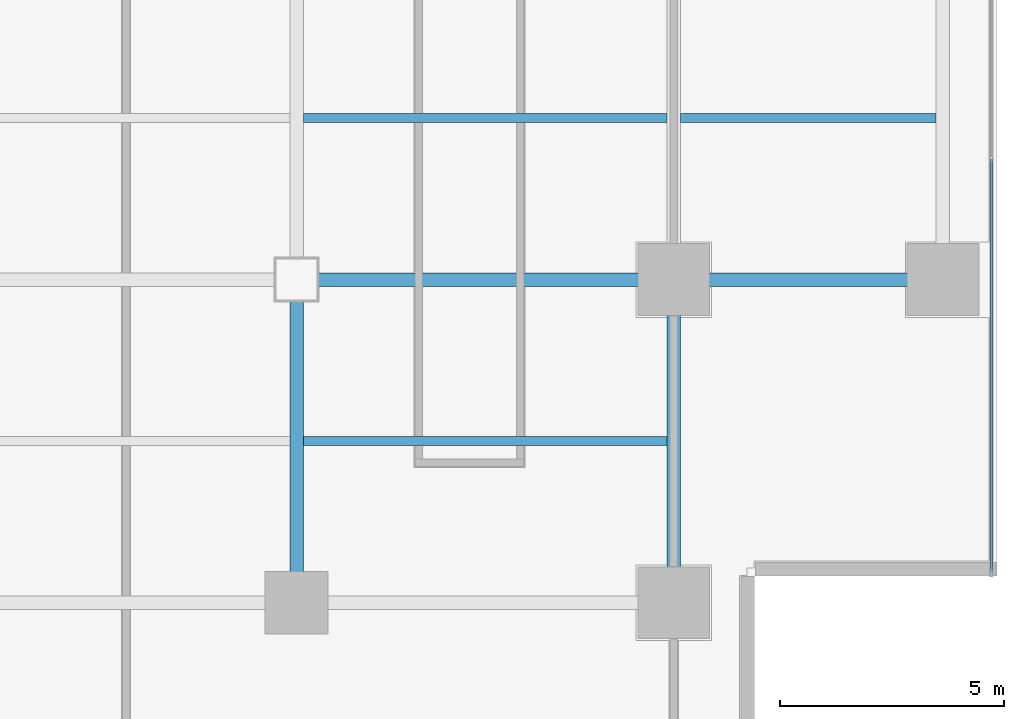
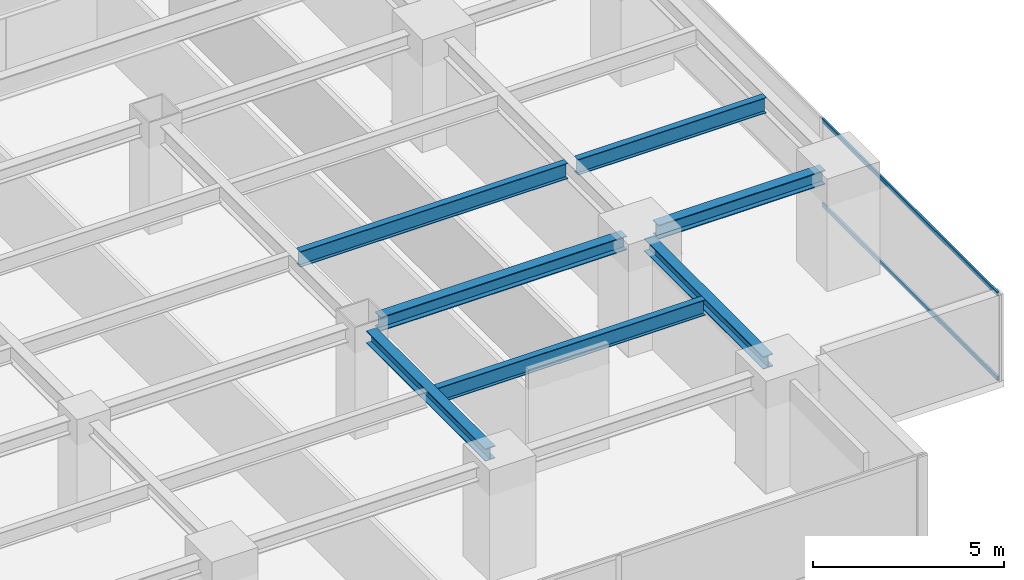
# One storey, part 10 of 27: 7 beams, 2 members, 1 element without a shape of its own.
"""IFC4 building model written with IfcOpenShell, lengths in metres."""

from ifc_helpers import new_model, si_unit, direction, frame, origin, origin_2d, place, context, subcontext, project, spatial, hollow_rectangle, i_section, extrude, source, transform, mapped, material, layer, layer_set, material_profile, profile_set, type_object, element, aggregate, save


model = new_model("IFC4")

# Units and contexts
model_context = context("Model", 3, precision=1e-05, world=origin(), true_north=direction((0.0, 1.0)))
body_context = subcontext(model_context, "Body", "Model", "MODEL_VIEW")
ifc_project = project(units=[si_unit("LENGTHUNIT", "METRE"), si_unit("AREAUNIT", "SQUARE_METRE"), si_unit("VOLUMEUNIT", "CUBIC_METRE"), si_unit("PLANEANGLEUNIT", "RADIAN"), si_unit("MASSUNIT", "GRAM", prefix="KILO")], contexts=[model_context])

# Site, building, storey
site_placement = place(None, origin())
site = spatial("IfcSite", under=ifc_project, at=site_placement, CompositionType="ELEMENT")
building_placement = place(site_placement, origin())
building = spatial("IfcBuilding", under=site, at=building_placement, Name="Sumidabori Civic Tower", CompositionType="ELEMENT")
storey_placement = place(building_placement, frame((0.0, 0.0, 156.800048828125)))
storey = spatial("IfcBuildingStorey", under=building, at=storey_placement, Name="L40", CompositionType="ELEMENT", Elevation=156.800048828125)

# Beams
ifc_material_1 = material(Name="Steel SN490", Category="steel")
ifc_material_profile_1 = material_profile(ifc_material_1, i_section(OverallWidth=0.300048828125, OverallDepth=0.39990234375, WebThickness=0.013427734375, FlangeThickness=0.02392578125, at=origin_2d()), Name="HE 400 B")
ifc_profile_set_1 = profile_set([ifc_material_profile_1], Name="Steel SN490")
beam_type_1 = type_object("IfcBeamType", Name="BM-GIRD-400", PredefinedType="BEAM", material=ifc_profile_set_1)
shared_shape_1 = source(origin(), body_context, "Body", "SweptSolid", [
    extrude(i_section(OverallWidth=0.300048828125, OverallDepth=0.39990234375, WebThickness=0.013427734375, FlangeThickness=0.02392578125, at=origin_2d()), origin(), (0.0, 0.0, 1.0), 6.239990234375),
])
for number, where, z_axis, x_axis, name in (
    (1, (8.39990234375, -17.52001953125, 3.179931640625), (0.0, 1.0, 0.0), (-1.0, 0.0, 0.0), "Primary Girder L40 GY-30"),
    (2, (16.800048828125, -17.52001953125, 3.179931640625), (0.0, 1.0, 0.0), (-1.0, 0.0, 0.0), "Primary Girder L40 GY-32"),
):
    element("IfcBeam", number, at=place(storey_placement, frame(where, z_axis=z_axis, x_axis=x_axis)), inside=storey, type_object=beam_type_1, Name=name, PredefinedType="BEAM", context=body_context, shape_type="MappedRepresentation", body=[
        mapped(shared_shape_1, transform((0.0, 0.0, 0.0), x_axis=(1.0, 0.0, 0.0), y_axis=(0.0, 1.0, 0.0), z_axis=(0.0, 0.0, 1.0), scale=1.0)),
    ])
ifc_material_profile_2 = material_profile(ifc_material_1, i_section(OverallWidth=0.199951171875, OverallDepth=0.5, WebThickness=0.01025390625, FlangeThickness=0.01611328125, at=origin_2d()), Name="IPE 500")
ifc_profile_set_2 = profile_set([ifc_material_profile_2], Name="Steel SN490")
beam_type_2 = type_object("IfcBeamType", Name="BM-JST-500", PredefinedType="JOIST", material=ifc_profile_set_2)
shared_shape_2 = source(origin(), body_context, "Body", "SweptSolid", [
    extrude(i_section(OverallWidth=0.199951171875, OverallDepth=0.5, WebThickness=0.01025390625, FlangeThickness=0.01611328125, at=origin_2d()), origin(), (0.0, 0.0, 1.0), 5.699951171875),
])
beam_1_placement = place(storey_placement, frame((16.949951171875, -7.199951171875, 3.1298828125), z_axis=(1.0, 0.0, 0.0), x_axis=(0.0, 1.0, 0.0)))
element("IfcBeam", 3, at=beam_1_placement, inside=storey, type_object=beam_type_2, Name="Outer Bay Floor Joist L40 JSTO-40", PredefinedType="JOIST", context=body_context, shape_type="MappedRepresentation", body=[
    mapped(shared_shape_2, transform((0.0, 0.0, 0.0), x_axis=(1.0, 0.0, 0.0), y_axis=(0.0, 1.0, 0.0), z_axis=(0.0, 0.0, 1.0), scale=1.0)),
])
shared_shape_3 = source(origin(), body_context, "Body", "SweptSolid", [
    extrude(i_section(OverallWidth=0.199951171875, OverallDepth=0.5, WebThickness=0.01025390625, FlangeThickness=0.01611328125, at=origin_2d()), origin(), (0.0, 0.0, 1.0), 8.099853515625),
])
for number, where, z_axis, x_axis, name in (
    (4, (8.550048828125, -14.39990234375, 3.1298828125), (1.0, 0.0, 0.0), (0.0, 1.0, 0.0), "South Bay Floor Joist L40 JSTS-52"),
    (5, (8.550048828125, -7.199951171875, 3.1298828125), (1.0, 0.0, 0.0), (0.0, 1.0, 0.0), "South Bay Floor Joist L40 JSTS-56"),
):
    element("IfcBeam", number, at=place(storey_placement, frame(where, z_axis=z_axis, x_axis=x_axis)), inside=storey, type_object=beam_type_2, Name=name, PredefinedType="JOIST", context=body_context, shape_type="MappedRepresentation", body=[
        mapped(shared_shape_3, transform((0.0, 0.0, 0.0), x_axis=(1.0, 0.0, 0.0), y_axis=(0.0, 1.0, 0.0), z_axis=(0.0, 0.0, 1.0), scale=1.0)),
    ])
ifc_material_profile_3 = material_profile(ifc_material_1, i_section(OverallWidth=0.300048828125, OverallDepth=0.449951171875, WebThickness=0.013916015625, FlangeThickness=0.02587890625, at=origin_2d()), Name="HE 450 B")
ifc_profile_set_3 = profile_set([ifc_material_profile_3], Name="Steel SN490")
beam_type_3 = type_object("IfcBeamType", Name="BM-GIRD-450", PredefinedType="BEAM", material=ifc_profile_set_3)
shared_shape_4 = source(origin(), body_context, "Body", "SweptSolid", [
    extrude(i_section(OverallWidth=0.300048828125, OverallDepth=0.449951171875, WebThickness=0.013916015625, FlangeThickness=0.02587890625, at=origin_2d()), origin(), (0.0, 0.0, 1.0), 7.440185546875),
])
beam_2_placement = place(storey_placement, frame((8.8798828125, -10.800048828125, 3.155029296875), z_axis=(1.0, 0.0, 0.0), x_axis=(0.0, 1.0, 0.0)))
element("IfcBeam", 6, at=beam_2_placement, inside=storey, type_object=beam_type_3, Name="Primary Girder L40 GX-09", PredefinedType="BEAM", context=body_context, shape_type="MappedRepresentation", body=[
    mapped(shared_shape_4, transform((0.0, 0.0, 0.0), x_axis=(1.0, 0.0, 0.0), y_axis=(0.0, 1.0, 0.0), z_axis=(0.0, 0.0, 1.0), scale=1.0)),
])
shared_shape_5 = source(origin(), body_context, "Body", "SweptSolid", [
    extrude(i_section(OverallWidth=0.300048828125, OverallDepth=0.449951171875, WebThickness=0.013916015625, FlangeThickness=0.02587890625, at=origin_2d()), origin(), (0.0, 0.0, 1.0), 5.0400390625),
])
beam_3_placement = place(storey_placement, frame((17.280029296875, -10.800048828125, 3.155029296875), z_axis=(1.0, 0.0, 0.0), x_axis=(0.0, 1.0, 0.0)))
element("IfcBeam", 7, at=beam_3_placement, inside=storey, type_object=beam_type_3, Name="Primary Girder L40 GX-10", PredefinedType="BEAM", context=body_context, shape_type="MappedRepresentation", body=[
    mapped(shared_shape_5, transform((0.0, 0.0, 0.0), x_axis=(1.0, 0.0, 0.0), y_axis=(0.0, 1.0, 0.0), z_axis=(0.0, 0.0, 1.0), scale=1.0)),
])

# Curtain wall, members
ifc_material_2 = material(Name="Anodised Bronze Aluminium AW-6063-T6", Category="aluminium")
ifc_layer = layer(ifc_material_2, 0.179931640625, Name="Anodised Bronze Aluminium AW-6063-T6")
ifc_layer_set = layer_set([ifc_layer], Name="Anodised Bronze Aluminium AW-6063-T6")
curtain_wall_type = type_object("IfcCurtainWallType", Name="CW-SYS-3", PredefinedType="NOTDEFINED", material=ifc_layer_set)
curtain_wall_placement = place(storey_placement, origin())
curtain_wall = element("IfcCurtainWall", 8, at=curtain_wall_placement, inside=storey, type_object=curtain_wall_type, Name="Curtain Wall CW:L40:R04", PredefinedType="NOTDEFINED")
ifc_material_profile_4 = material_profile(ifc_material_2, hollow_rectangle(XDim=0.06005859375, YDim=0.1298828125, WallThickness=0.0048828125, at=origin_2d()), Name="ALU TRANSOM 130x60")
ifc_profile_set_4 = profile_set([ifc_material_profile_4], Name="Anodised Bronze Aluminium AW-6063-T6")
member_type = type_object("IfcMemberType", Name="CW-TRN-130", PredefinedType="USERDEFINED", material=ifc_profile_set_4)
shared_shape_6 = source(origin(), body_context, "Body", "SweptSolid", [
    extrude(hollow_rectangle(XDim=0.06005859375, YDim=0.1298828125, WallThickness=0.0048828125, at=origin_2d()), origin(), (0.0, 0.0, 1.0), 9.1875),
])
member_1_placement = place(storey_placement, frame((23.8798828125, -17.304931640625, 0.030029296875), z_axis=(0.0, 1.0, 0.0), x_axis=(-1.0, 0.0, 0.0)))
member_1 = element("IfcMember", 9, at=member_1_placement, type_object=member_type, Name="CW-3 transom 1.1", ObjectType="TRANSOM", PredefinedType="USERDEFINED", context=body_context, shape_type="MappedRepresentation", body=[
    mapped(shared_shape_6, transform((0.0, 0.0, 0.0), x_axis=(1.0, 0.0, 0.0), y_axis=(0.0, 1.0, 0.0), z_axis=(0.0, 0.0, 1.0), scale=1.0)),
])
member_2_placement = place(storey_placement, frame((23.8798828125, -17.304931640625, 2.72998046875), z_axis=(0.0, 1.0, 0.0), x_axis=(-1.0, 0.0, 0.0)))
member_2 = element("IfcMember", 10, at=member_2_placement, type_object=member_type, Name="CW-3 transom 1.2", ObjectType="TRANSOM", PredefinedType="USERDEFINED", context=body_context, shape_type="MappedRepresentation", body=[
    mapped(shared_shape_6, transform((0.0, 0.0, 0.0), x_axis=(1.0, 0.0, 0.0), y_axis=(0.0, 1.0, 0.0), z_axis=(0.0, 0.0, 1.0), scale=1.0)),
])
aggregate(curtain_wall, [member_1, member_2])

save(model, "model.ifc")
